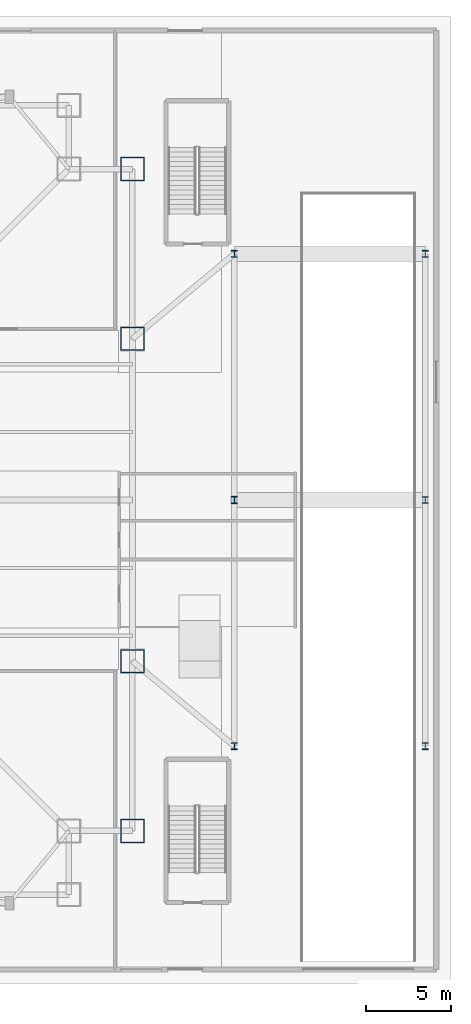
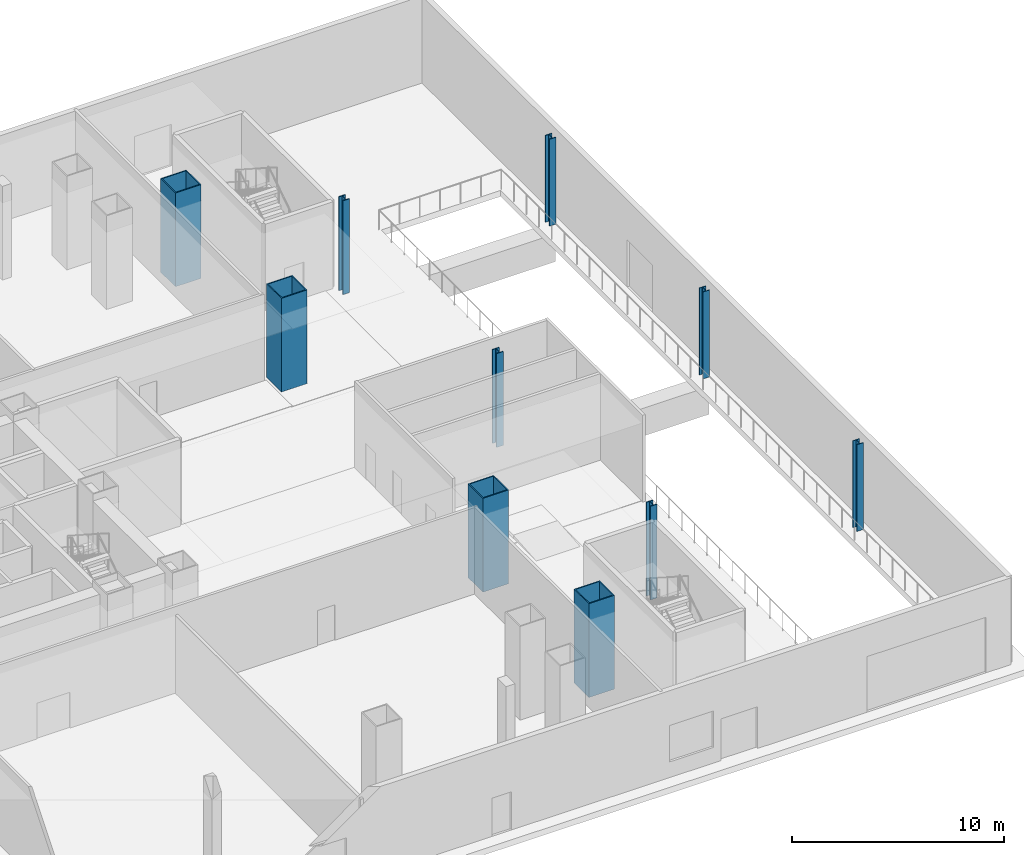
# One storey, part 3 of 24: 10 columns.
"""IFC4 building model written with IfcOpenShell, lengths in metres."""

from ifc_helpers import new_model, si_unit, direction, frame, origin, origin_2d, place, context, subcontext, project, spatial, hollow_rectangle, i_section, extrude, material, material_profile, profile_set, type_object, element, save


model = new_model("IFC4")

# Units and contexts
model_context = context("Model", 3, precision=1e-05, world=origin(), true_north=direction((0.0, 1.0)))
body_context = subcontext(model_context, "Body", "Model", "MODEL_VIEW")
ifc_project = project(units=[si_unit("LENGTHUNIT", "METRE"), si_unit("AREAUNIT", "SQUARE_METRE"), si_unit("VOLUMEUNIT", "CUBIC_METRE"), si_unit("PLANEANGLEUNIT", "RADIAN"), si_unit("MASSUNIT", "GRAM", prefix="KILO")], contexts=[model_context])

# Site, building, storey
site_placement = place(None, origin())
site = spatial("IfcSite", under=ifc_project, at=site_placement, CompositionType="ELEMENT")
building_placement = place(site_placement, origin())
building = spatial("IfcBuilding", under=site, at=building_placement, Name="Trevonay Congress Spire", CompositionType="ELEMENT")
storey_placement = place(building_placement, origin())
storey = spatial("IfcBuildingStorey", under=building, at=storey_placement, Name="L00", CompositionType="ELEMENT", Elevation=0.0)

# Columns
ifc_material = material(Name="Steel ASTM A572 Grade 50", Category="steel")
ifc_material_profile_1 = material_profile(ifc_material, hollow_rectangle(XDim=1.39990234375, YDim=1.39990234375, WallThickness=0.06005859375, at=origin_2d()), Name="BOX 1400x1400x60")
ifc_profile_set_1 = profile_set([ifc_material_profile_1], Name="Steel ASTM A572 Grade 50")
column_type_1 = type_object("IfcColumnType", Name="COL-CORE-BOX1400", PredefinedType="COLUMN", material=ifc_profile_set_1)
for number, where, z_axis, x_axis, name in (
    (1, (23.25, -19.5, 0.0), (0.0, 0.0, 1.0), (1.0, 0.0, 0.0), "L00 column C01 at TM-E1"),
    (2, (23.25, -9.5, 0.0), (0.0, 0.0, 1.0), (1.0, 0.0, 0.0), "L00 column C01 at TM-E2"),
    (3, (23.25, 9.5, 0.0), (0.0, 0.0, 1.0), (1.0, 0.0, 0.0), "L00 column C01 at TM-E5"),
    (4, (23.25, 19.5, 0.0), (0.0, 0.0, 1.0), (1.0, 0.0, 0.0), "L00 column C01 at TM-E6"),
):
    element("IfcColumn", number, at=place(storey_placement, frame(where, z_axis=z_axis, x_axis=x_axis)), inside=storey, type_object=column_type_1, Name=name, PredefinedType="COLUMN", context=body_context, shape_type="SweptSolid", body=[
        extrude(hollow_rectangle(XDim=1.39990234375, YDim=1.39990234375, WallThickness=0.06005859375, at=origin_2d()), origin(), (0.0, 0.0, 1.0), 5.39990234375),
    ])
ifc_material_profile_2 = material_profile(ifc_material, i_section(OverallWidth=0.367919921875, OverallDepth=0.425048828125, WebThickness=0.02978515625, FlangeThickness=0.047607421875, FilletRadius=0.02001953125, at=origin_2d()), Name="W360x421")
ifc_profile_set_2 = profile_set([ifc_material_profile_2], Name="Steel ASTM A572 Grade 50")
column_type_2 = type_object("IfcColumnType", Name="COL-POD-W360X421", PredefinedType="COLUMN", material=ifc_profile_set_2)
for number, where, z_axis, x_axis, name in (
    (5, (29.25, -14.5, 0.0), (0.0, 0.0, 1.0), (1.0, 0.0, 0.0), "L00 column C08 at PE-1"),
    (6, (29.25, 0.0, 0.0), (0.0, 0.0, 1.0), (1.0, 0.0, 0.0), "L00 column C08 at PE-2"),
    (7, (29.25, 14.5, 0.0), (0.0, 0.0, 1.0), (1.0, 0.0, 0.0), "L00 column C08 at PE-3"),
):
    element("IfcColumn", number, at=place(storey_placement, frame(where, z_axis=z_axis, x_axis=x_axis)), inside=storey, type_object=column_type_2, Name=name, PredefinedType="COLUMN", context=body_context, shape_type="SweptSolid", body=[
        extrude(i_section(OverallWidth=0.367919921875, OverallDepth=0.425048828125, WebThickness=0.02978515625, FlangeThickness=0.047607421875, FilletRadius=0.02001953125, at=origin_2d()), origin(), (0.0, 0.0, 1.0), 5.39990234375),
    ])
ifc_material_profile_3 = material_profile(ifc_material, i_section(OverallWidth=0.35205078125, OverallDepth=0.406982421875, WebThickness=0.024658203125, FlangeThickness=0.039794921875, FilletRadius=0.02001953125, at=origin_2d()), Name="W360x347")
ifc_profile_set_3 = profile_set([ifc_material_profile_3], Name="Steel ASTM A572 Grade 50")
column_type_3 = type_object("IfcColumnType", Name="COL-STEP-W360X347", PredefinedType="COLUMN", material=ifc_profile_set_3)
for number, where, z_axis, x_axis, name in (
    (8, (40.5, -14.5, 0.0), (0.0, 0.0, 1.0), (1.0, 0.0, 0.0), "L00 column C09 at EXE-1"),
    (9, (40.5, 0.0, 0.0), (0.0, 0.0, 1.0), (1.0, 0.0, 0.0), "L00 column C09 at EXE-2"),
    (10, (40.5, 14.5, 0.0), (0.0, 0.0, 1.0), (1.0, 0.0, 0.0), "L00 column C09 at EXE-3"),
):
    element("IfcColumn", number, at=place(storey_placement, frame(where, z_axis=z_axis, x_axis=x_axis)), inside=storey, type_object=column_type_3, Name=name, PredefinedType="COLUMN", context=body_context, shape_type="SweptSolid", body=[
        extrude(i_section(OverallWidth=0.35205078125, OverallDepth=0.406982421875, WebThickness=0.024658203125, FlangeThickness=0.039794921875, FilletRadius=0.02001953125, at=origin_2d()), origin(), (0.0, 0.0, 1.0), 5.0),
    ])

save(model, "model.ifc")
